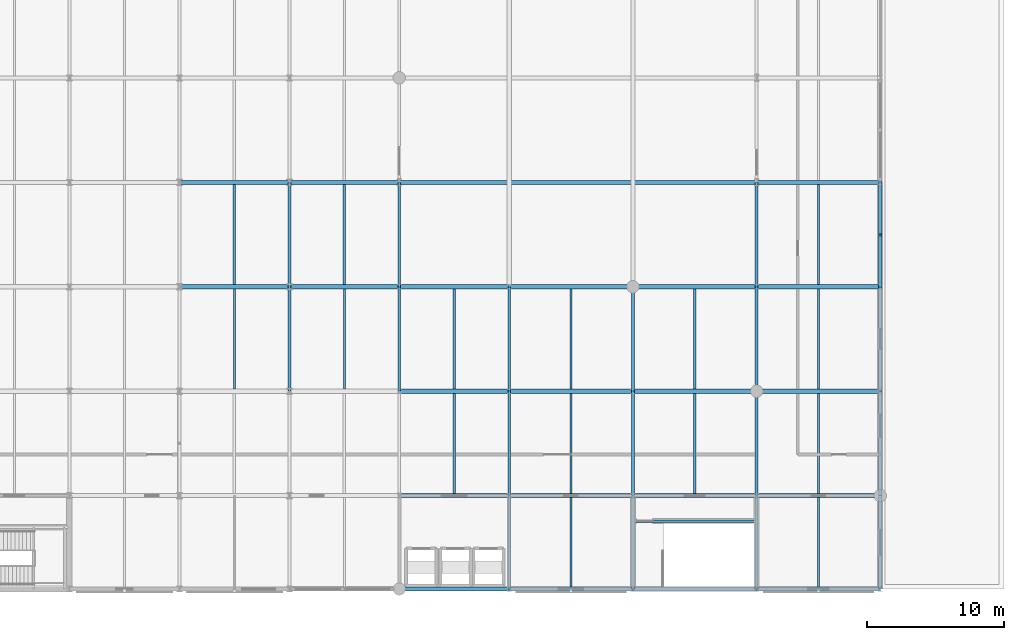
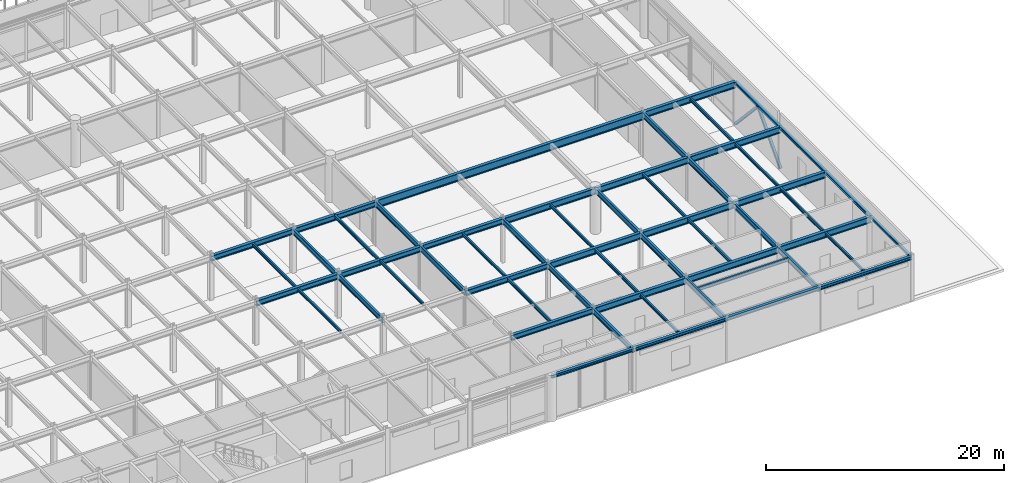
# One storey, part 18 of 43: 56 beams, 2 members.
"""IFC4 building model written with IfcOpenShell, lengths in metres."""

import ifcopenshell
import ifcopenshell.guid

model = None  # the IFC model being written
_history = None  # IfcOwnerHistory: only IFC2X3 demands one
_inside = {}  # id of a spatial element -> (the spatial element, [elements in it])
_under = {}  # id of a project, library or spatial element -> (it, [spatial elements below it])
_declared = {}  # id of a project -> (the project, [libraries it declares])
_typed = {}  # id of a type object -> (the type object, [elements of that type])
_made_of = {}  # id of a material, layer set ... -> (it, [elements and type objects made of it])


def new_model(schema):
    """Start an empty IFC model of exactly this schema.

    Asked for "IFC4X3", IfcOpenShell would pick the latest addendum, in which some entities
    have other attributes; the version numbers below select the first issue.
    IFC2X3 requires an IfcOwnerHistory on every rooted entity: one is made here for all.
    """
    global model, _history
    if schema == "IFC4X3":
        model = ifcopenshell.file(schema_version=(4, 3, 0, 0))
    else:
        model = ifcopenshell.file(schema=schema)
    _inside.clear()
    _under.clear()
    _declared.clear()
    _typed.clear()
    _made_of.clear()
    _history = None
    if model.schema == "IFC2X3":
        org = make("IfcOrganization", Name="unknown")
        user = make(
            "IfcPersonAndOrganization",
            ThePerson=make("IfcPerson", FamilyName="unknown"),
            TheOrganization=org,
        )
        app = make(
            "IfcApplication",
            ApplicationDeveloper=org,
            Version="unknown",
            ApplicationFullName="unknown",
            ApplicationIdentifier="unknown",
        )
        _history = make(
            "IfcOwnerHistory",
            OwningUser=user,
            OwningApplication=app,
            ChangeAction="ADDED",
            CreationDate=0,
        )
    return model


def make(cls, **values):
    """One entity of the class cls with the attributes given. An attribute that is None is left unset."""
    return model.create_entity(
        cls, **{name: value for name, value in values.items() if value is not None}
    )


def rooted(cls, **values):
    """An entity with a GlobalId (a new one), such as an element, a storey or a relation."""
    return make(cls, GlobalId=ifcopenshell.guid.new(), OwnerHistory=_history, **values)


def si_unit(unit_type, name, prefix=None):
    """IfcSIUnit, for example si_unit("LENGTHUNIT", "METRE", prefix="MILLI")."""
    return make("IfcSIUnit", UnitType=unit_type, Prefix=prefix, Name=name)


def assignment(units):
    """IfcUnitAssignment: the units of a project."""
    return None if units is None else make("IfcUnitAssignment", Units=units)


def point(xyz):
    """IfcCartesianPoint."""
    return None if xyz is None else make("IfcCartesianPoint", Coordinates=xyz)


def direction(xyz):
    """IfcDirection."""
    return None if xyz is None else make("IfcDirection", DirectionRatios=xyz)


def frame(location, z_axis=None, x_axis=None):
    """IfcAxis2Placement3D, a coordinate frame: its origin and axes. An axis left out is left unset."""
    return make(
        "IfcAxis2Placement3D",
        Location=point(location),
        Axis=direction(z_axis),
        RefDirection=direction(x_axis),
    )


def frame_2d(location, x_axis=None):
    """IfcAxis2Placement2D, a coordinate frame in the plane: its origin and x axis."""
    return make(
        "IfcAxis2Placement2D", Location=point(location), RefDirection=direction(x_axis)
    )


def origin():
    """The frame at (0, 0, 0) with its axes left unset."""
    return frame((0.0, 0.0, 0.0))


def origin_2d():
    """The frame at (0, 0) in the plane with its x axis left unset."""
    return frame_2d((0.0, 0.0))


def place(relative_to, where):
    """IfcLocalPlacement: puts the frame where relative to a parent placement (None: the world)."""
    return make(
        "IfcLocalPlacement", PlacementRelTo=relative_to, RelativePlacement=where
    )


def context(
    kind, dimensions, precision=None, world=None, true_north=None, identifier=None
):
    """IfcGeometricRepresentationContext, for example the 3D "Model" context."""
    return make(
        "IfcGeometricRepresentationContext",
        ContextIdentifier=identifier,
        ContextType=kind,
        CoordinateSpaceDimension=dimensions,
        Precision=precision,
        WorldCoordinateSystem=world,
        TrueNorth=true_north,
    )


def subcontext(parent, identifier, kind, view, scale=None):
    """IfcGeometricRepresentationSubContext, for example "Body" below "Model"."""
    return make(
        "IfcGeometricRepresentationSubContext",
        ContextIdentifier=identifier,
        ContextType=kind,
        ParentContext=parent,
        TargetScale=scale,
        TargetView=view,
    )


def project(units=None, contexts=None):
    """IfcProject with its units and contexts."""
    return rooted(
        "IfcProject",
        Name="project",
        RepresentationContexts=contexts,
        UnitsInContext=assignment(units),
    )


def spatial(cls, under=None, at=None, **own):
    """A site, building, storey or space (cls), placed at a placement, below another one or the project."""
    s = rooted(cls, ObjectPlacement=at, **own)
    if under is not None:
        _under.setdefault(under.id(), (under, []))[1].append(s)
    return s


def profile(cls, at=None, kind="AREA", **sizes):
    """A parametric profile (cls). Its sizes go by their IFC names, for example OverallWidth=200.0."""
    return make(cls, ProfileType=kind, Position=at, **sizes)


def hollow_rectangle(**sizes):
    """IfcRectangleHollowProfileDef."""
    return profile("IfcRectangleHollowProfileDef", **sizes)


def i_section(**sizes):
    """IfcIShapeProfileDef."""
    return profile("IfcIShapeProfileDef", **sizes)


def extrude(swept, where, along, depth):
    """IfcExtrudedAreaSolid: the profile swept, set in the frame where, extruded along a direction by depth."""
    return make(
        "IfcExtrudedAreaSolid",
        SweptArea=swept,
        Position=where,
        ExtrudedDirection=direction(along),
        Depth=depth,
    )


def shape(context_of_items, identifier, shape_type, items):
    """IfcShapeRepresentation: the items that make up one representation, for example the "Body"."""
    return make(
        "IfcShapeRepresentation",
        ContextOfItems=context_of_items,
        RepresentationIdentifier=identifier,
        RepresentationType=shape_type,
        Items=items,
    )


def material(Name=None, Category=None):
    """IfcMaterial."""
    return make("IfcMaterial", Name=Name, Category=Category)


def material_profile(
    of_material, cross_section, Name=None, Category=None, Priority=None
):
    """IfcMaterialProfile: a cross section and its material."""
    return make(
        "IfcMaterialProfile",
        Name=Name,
        Material=of_material,
        Profile=cross_section,
        Priority=Priority,
        Category=Category,
    )


def profile_set(profiles, Name=None, composite=None):
    """IfcMaterialProfileSet."""
    return make(
        "IfcMaterialProfileSet",
        Name=Name,
        MaterialProfiles=profiles,
        CompositeProfile=composite,
    )


def made_of(thing, what):
    """Note that an element or type object is made of a material, layer set ...; save() writes the relation."""
    if what is not None:
        _made_of.setdefault(what.id(), (what, []))[1].append(thing)
    return thing


def type_object(cls, material=None, **own):
    """A type object (cls), such as IfcWallType, which elements share."""
    return made_of(rooted(cls, **own), material)


def element(
    cls,
    number,
    at=None,
    inside=None,
    cuts=None,
    type_object=None,
    material=None,
    context=None,
    identifier="Body",
    shape_type=None,
    held_by="IfcProductDefinitionShape",
    body=None,
    shapes=None,
    **own,
):
    """One element of the class cls, such as IfcWall. Its Tag is "e" and its number.

    at: its placement. inside: the storey or other place that contains it. cuts: it is an
    opening in that element (IfcRelVoidsElement). A single representation is given by context,
    identifier, shape_type and body (its items); several are given by shapes. held_by: the class
    of the entity that holds the representations. save() writes the other relations.
    """
    e = rooted(cls, Tag="e%d" % number, ObjectPlacement=at, **own)
    if body is not None:
        shapes = [shape(context, identifier, shape_type, body)]
    if shapes is not None:
        e.Representation = make(held_by, Representations=shapes)
    if inside is not None:
        _inside.setdefault(inside.id(), (inside, []))[1].append(e)
    if cuts is not None:
        rooted(
            "IfcRelVoidsElement", RelatingBuildingElement=cuts, RelatedOpeningElement=e
        )
    if type_object is not None:
        _typed.setdefault(type_object.id(), (type_object, []))[1].append(e)
    return made_of(e, material)


def aggregate(whole, parts):
    """IfcRelAggregates: a whole, such as a stair, and the parts it consists of."""
    return rooted("IfcRelAggregates", RelatingObject=whole, RelatedObjects=parts)


def save(model, path):
    """Write the relations noted so far, then the file.

    IfcRelAggregates (storeys below a building ...), IfcRelContainedInSpatialStructure (elements
    in a storey), IfcRelDefinesByType, IfcRelAssociatesMaterial and IfcRelDeclares: one each for
    every whole, place, type object, material and project.
    """
    for whole, parts in _under.values():
        aggregate(whole, parts)
    for where, things in _inside.values():
        rooted(
            "IfcRelContainedInSpatialStructure",
            RelatedElements=things,
            RelatingStructure=where,
        )
    for kind, things in _typed.values():
        rooted("IfcRelDefinesByType", RelatedObjects=things, RelatingType=kind)
    for what, things in _made_of.values():
        rooted("IfcRelAssociatesMaterial", RelatedObjects=things, RelatingMaterial=what)
    for by, libraries in _declared.values():
        rooted("IfcRelDeclares", RelatingContext=by, RelatedDefinitions=libraries)
    model.write(path)


model = new_model("IFC4")

# Units and contexts
model_context = context("Model", 3, precision=1e-05, world=origin(), true_north=direction((0.0, 1.0)))
body_context = subcontext(model_context, "Body", "Model", "MODEL_VIEW")
ifc_project = project(units=[si_unit("LENGTHUNIT", "METRE"), si_unit("AREAUNIT", "SQUARE_METRE"), si_unit("VOLUMEUNIT", "CUBIC_METRE"), si_unit("PLANEANGLEUNIT", "RADIAN"), si_unit("MASSUNIT", "GRAM", prefix="KILO")], contexts=[model_context])

# Site, building, storey
site_placement = place(None, origin())
site = spatial("IfcSite", under=ifc_project, at=site_placement, CompositionType="ELEMENT")
building_placement = place(site_placement, origin())
building = spatial("IfcBuilding", under=site, at=building_placement, Name="Shalkamar Park Central Library", CompositionType="ELEMENT")
storey_placement = place(building_placement, frame((0.0, 0.0, 15.60009765625)))
storey = spatial("IfcBuildingStorey", under=building, at=storey_placement, Name="L04", CompositionType="ELEMENT", Elevation=15.60009765625)

# Beams
ifc_material = material(Name="Steel S355", Category="steel")
ifc_material_profile_1 = material_profile(ifc_material, i_section(OverallWidth=0.14990234375, OverallDepth=0.300048828125, WebThickness=0.007080078125, FlangeThickness=0.0107421875, FilletRadius=0.014892578125, at=origin_2d()), Name="IPE 300")
ifc_profile_set_1 = profile_set([ifc_material_profile_1], Name="Steel S355")
beam_type_1 = type_object("IfcBeamType", Name="Composite Floor Joist IPE300", PredefinedType="JOIST", material=ifc_profile_set_1)
for number, where, z_axis, x_axis, name in (
    (1, (217.0, 262.947998046875, 4.329833984375), (0.0, 1.0, 0.0), (-1.0, 0.0, 0.0), "Composite Joist 13/D-1 (L04)"),
    (2, (225.0, 262.947998046875, 4.39990234375), (0.0, 1.0, 0.0), (-1.0, 0.0, 0.0), "Composite Joist 14/D-1 (L04)"),
    (3, (233.0, 262.947998046875, 4.39990234375), (0.0, 1.0, 0.0), (-1.0, 0.0, 0.0), "Composite Joist 15/D-1 (L04)"),
):
    element("IfcBeam", number, at=place(storey_placement, frame(where, z_axis=z_axis, x_axis=x_axis)), inside=storey, type_object=beam_type_1, Name=name, PredefinedType="JOIST", context=body_context, shape_type="SweptSolid", body=[
        extrude(i_section(OverallWidth=0.14990234375, OverallDepth=0.300048828125, WebThickness=0.007080078125, FlangeThickness=0.0107421875, FilletRadius=0.014892578125, at=origin_2d()), origin(), (0.0, 0.0, 1.0), 7.303955078125),
    ])
beam_1_placement = place(storey_placement, frame((241.5, 248.548095703125, 4.39990234375), z_axis=(0.0, 1.0, 0.0), x_axis=(-1.0, 0.0, 0.0)))
element("IfcBeam", 4, at=beam_1_placement, inside=storey, type_object=beam_type_1, Name="Composite Joist 16/B-1 (L04)", PredefinedType="JOIST", context=body_context, shape_type="SweptSolid", body=[
    extrude(i_section(OverallWidth=0.14990234375, OverallDepth=0.300048828125, WebThickness=0.007080078125, FlangeThickness=0.0107421875, FilletRadius=0.014892578125, at=origin_2d()), origin(), (0.0, 0.0, 1.0), 6.50390625),
])
for number, where, z_axis, x_axis, name in (
    (5, (241.5, 262.947998046875, 4.39990234375), (0.0, 1.0, 0.0), (-1.0, 0.0, 0.0), "Composite Joist 16/D-1 (L04)"),
    (6, (250.5, 262.947998046875, 4.39990234375), (0.0, 1.0, 0.0), (-1.0, 0.0, 0.0), "Composite Joist 17/D-1 (L04)"),
):
    element("IfcBeam", number, at=place(storey_placement, frame(where, z_axis=z_axis, x_axis=x_axis)), inside=storey, type_object=beam_type_1, Name=name, PredefinedType="JOIST", context=body_context, shape_type="SweptSolid", body=[
        extrude(i_section(OverallWidth=0.14990234375, OverallDepth=0.300048828125, WebThickness=0.007080078125, FlangeThickness=0.0107421875, FilletRadius=0.014892578125, at=origin_2d()), origin(), (0.0, 0.0, 1.0), 7.303955078125),
    ])
beam_2_placement = place(storey_placement, frame((259.5, 248.548095703125, 4.39990234375), z_axis=(0.0, 1.0, 0.0), x_axis=(-1.0, 0.0, 0.0)))
element("IfcBeam", 7, at=beam_2_placement, inside=storey, type_object=beam_type_1, Name="Composite Joist 18/B-1 (L04)", PredefinedType="JOIST", context=body_context, shape_type="SweptSolid", body=[
    extrude(i_section(OverallWidth=0.14990234375, OverallDepth=0.300048828125, WebThickness=0.007080078125, FlangeThickness=0.0107421875, FilletRadius=0.014892578125, at=origin_2d()), origin(), (0.0, 0.0, 1.0), 6.50390625),
])
beam_3_placement = place(storey_placement, frame((259.5, 262.947998046875, 4.39990234375), z_axis=(0.0, 1.0, 0.0), x_axis=(-1.0, 0.0, 0.0)))
element("IfcBeam", 8, at=beam_3_placement, inside=storey, type_object=beam_type_1, Name="Composite Joist 18/D-1 (L04)", PredefinedType="JOIST", context=body_context, shape_type="SweptSolid", body=[
    extrude(i_section(OverallWidth=0.14990234375, OverallDepth=0.300048828125, WebThickness=0.007080078125, FlangeThickness=0.0107421875, FilletRadius=0.014892578125, at=origin_2d()), origin(), (0.0, 0.0, 1.0), 7.303955078125),
])
ifc_material_profile_2 = material_profile(ifc_material, i_section(OverallWidth=0.159912109375, OverallDepth=0.330078125, WebThickness=0.007568359375, FlangeThickness=0.011474609375, FilletRadius=0.01806640625, at=origin_2d()), Name="IPE 330")
ifc_profile_set_2 = profile_set([ifc_material_profile_2], Name="Steel S355")
beam_type_2 = type_object("IfcBeamType", Name="Composite Floor Joist IPE330", PredefinedType="JOIST", material=ifc_profile_set_2)
for number, where, z_axis, x_axis, name in (
    (9, (217.0, 270.548095703125, 4.31494140625), (0.0, 1.0, 0.0), (-1.0, 0.0, 0.0), "Composite Joist 13/E-1 (L04)"),
    (10, (225.0, 270.548095703125, 4.40478515625), (0.0, 1.0, 0.0), (-1.0, 0.0, 0.0), "Composite Joist 14/E-1 (L04)"),
):
    element("IfcBeam", number, at=place(storey_placement, frame(where, z_axis=z_axis, x_axis=x_axis)), inside=storey, type_object=beam_type_2, Name=name, PredefinedType="JOIST", context=body_context, shape_type="SweptSolid", body=[
        extrude(i_section(OverallWidth=0.159912109375, OverallDepth=0.330078125, WebThickness=0.007568359375, FlangeThickness=0.011474609375, FilletRadius=0.01806640625, at=origin_2d()), origin(), (0.0, 0.0, 1.0), 7.303955078125),
    ])
for number, where, z_axis, x_axis, name in (
    (11, (233.0, 255.347900390625, 4.385009765625), (0.0, 1.0, 0.0), (-1.0, 0.0, 0.0), "Composite Joist 15/C-1 (L04)"),
    (12, (241.5, 255.347900390625, 4.385009765625), (0.0, 1.0, 0.0), (-1.0, 0.0, 0.0), "Composite Joist 16/C-1 (L04)"),
    (13, (250.5, 255.347900390625, 4.385009765625), (0.0, 1.0, 0.0), (-1.0, 0.0, 0.0), "Composite Joist 17/C-1 (L04)"),
    (14, (259.5, 255.347900390625, 4.385009765625), (0.0, 1.0, 0.0), (-1.0, 0.0, 0.0), "Composite Joist 18/C-1 (L04)"),
):
    element("IfcBeam", number, at=place(storey_placement, frame(where, z_axis=z_axis, x_axis=x_axis)), inside=storey, type_object=beam_type_2, Name=name, PredefinedType="JOIST", context=body_context, shape_type="SweptSolid", body=[
        extrude(i_section(OverallWidth=0.159912109375, OverallDepth=0.330078125, WebThickness=0.007568359375, FlangeThickness=0.011474609375, FilletRadius=0.01806640625, at=origin_2d()), origin(), (0.0, 0.0, 1.0), 7.30419921875),
    ])
beam_4_placement = place(storey_placement, frame((259.5, 270.548095703125, 4.40478515625), z_axis=(0.0, 1.0, 0.0), x_axis=(-1.0, 0.0, 0.0)))
element("IfcBeam", 15, at=beam_4_placement, inside=storey, type_object=beam_type_2, Name="Composite Joist 18/E-1 (L04)", PredefinedType="JOIST", context=body_context, shape_type="SweptSolid", body=[
    extrude(i_section(OverallWidth=0.159912109375, OverallDepth=0.330078125, WebThickness=0.007568359375, FlangeThickness=0.011474609375, FilletRadius=0.01806640625, at=origin_2d()), origin(), (0.0, 0.0, 1.0), 7.303955078125),
])

# Members
ifc_material_profile_3 = material_profile(ifc_material, hollow_rectangle(XDim=0.25, YDim=0.25, WallThickness=0.012451171875, InnerFilletRadius=0.012451171875, OuterFilletRadius=0.018798828125, at=origin_2d()), Name="SHS 250x250x12.5")
ifc_profile_set_3 = profile_set([ifc_material_profile_3], Name="Steel S355")
member_type = type_object("IfcMemberType", Name="Diagonal Brace SHS250", PredefinedType="BRACE", material=ifc_profile_set_3)
for number, where, z_axis, x_axis, name in (
    (16, (264.0, 270.39990234375, 0.14990234375), (0.0, 0.679760654278, 0.733434014002), (-1.0, 0.0, 0.0), "Chevron Brace PD-E Leg A (L04)"),
    (17, (264.0, 278.0, 0.14990234375), (0.0, -0.679760654278, 0.733434014002), (1.0, 0.0, 0.0), "Chevron Brace PD-E Leg B (L04)"),
):
    element("IfcMember", number, at=place(storey_placement, frame(where, z_axis=z_axis, x_axis=x_axis)), inside=storey, type_object=member_type, Name=name, PredefinedType="BRACE", context=body_context, shape_type="SweptSolid", body=[
        extrude(hollow_rectangle(XDim=0.25, YDim=0.25, WallThickness=0.012451171875, InnerFilletRadius=0.012451171875, OuterFilletRadius=0.018798828125, at=origin_2d()), origin(), (0.0, 0.0, 1.0), 5.59033203125),
    ])

# Beams
ifc_material_profile_4 = material_profile(ifc_material, i_section(OverallWidth=0.239990234375, OverallDepth=0.22998046875, WebThickness=0.007568359375, FlangeThickness=0.011962890625, FilletRadius=0.02099609375, at=origin_2d()), Name="HEA 240")
ifc_profile_set_4 = profile_set([ifc_material_profile_4], Name="Steel S355")
beam_type_3 = type_object("IfcBeamType", Name="Perimeter Spandrel Beam HEA240", PredefinedType="SPANDREL", material=ifc_profile_set_4)
beam_5_placement = place(storey_placement, frame((264.0, 248.39990234375, 4.434814453125), z_axis=(0.0, 1.0, 0.0), x_axis=(-1.0, 0.0, 0.0)))
element("IfcBeam", 18, at=beam_5_placement, inside=storey, type_object=beam_type_3, Name="Beam 19:B-C (L04)", PredefinedType="SPANDREL", context=body_context, shape_type="SweptSolid", body=[
    extrude(i_section(OverallWidth=0.239990234375, OverallDepth=0.22998046875, WebThickness=0.007568359375, FlangeThickness=0.011962890625, FilletRadius=0.02099609375, at=origin_2d()), origin(), (0.0, 0.0, 1.0), 6.800048828125),
])
ifc_material_profile_5 = material_profile(ifc_material, i_section(OverallWidth=0.280029296875, OverallDepth=0.27001953125, WebThickness=0.008056640625, FlangeThickness=0.012939453125, FilletRadius=0.02392578125, at=origin_2d()), Name="HEA 280")
ifc_profile_set_5 = profile_set([ifc_material_profile_5], Name="Steel S355")
beam_type_4 = type_object("IfcBeamType", Name="Perimeter Spandrel Beam HEA280", PredefinedType="SPANDREL", material=ifc_profile_set_5)
beam_6_placement = place(storey_placement, frame((264.0, 255.199951171875, 4.414794921875), z_axis=(0.0, 1.0, 0.0), x_axis=(-1.0, 0.0, 0.0)))
element("IfcBeam", 19, at=beam_6_placement, inside=storey, type_object=beam_type_4, Name="Beam 19:C-D (L04)", PredefinedType="SPANDREL", context=body_context, shape_type="SweptSolid", body=[
    extrude(i_section(OverallWidth=0.280029296875, OverallDepth=0.27001953125, WebThickness=0.008056640625, FlangeThickness=0.012939453125, FilletRadius=0.02392578125, at=origin_2d()), origin(), (0.0, 0.0, 1.0), 7.60009765625),
])
beam_7_placement = place(storey_placement, frame((264.0, 262.800048828125, 4.414794921875), z_axis=(0.0, 1.0, 0.0), x_axis=(-1.0, 0.0, 0.0)))
element("IfcBeam", 20, at=beam_7_placement, inside=storey, type_object=beam_type_4, Name="Beam 19:D-E (L04)", PredefinedType="SPANDREL", context=body_context, shape_type="SweptSolid", body=[
    extrude(i_section(OverallWidth=0.280029296875, OverallDepth=0.27001953125, WebThickness=0.008056640625, FlangeThickness=0.012939453125, FilletRadius=0.02392578125, at=origin_2d()), origin(), (0.0, 0.0, 1.0), 7.599853515625),
])
beam_8_placement = place(storey_placement, frame((264.0, 270.39990234375, 4.414794921875), z_axis=(0.0, 1.0, 0.0), x_axis=(-1.0, 0.0, 0.0)))
element("IfcBeam", 21, at=beam_8_placement, inside=storey, type_object=beam_type_4, Name="Beam 19:E-F (L04)", PredefinedType="SPANDREL", context=body_context, shape_type="SweptSolid", body=[
    extrude(i_section(OverallWidth=0.280029296875, OverallDepth=0.27001953125, WebThickness=0.008056640625, FlangeThickness=0.012939453125, FilletRadius=0.02392578125, at=origin_2d()), origin(), (0.0, 0.0, 1.0), 7.60009765625),
])
ifc_material_profile_6 = material_profile(ifc_material, i_section(OverallWidth=0.300048828125, OverallDepth=0.31005859375, WebThickness=0.009033203125, FlangeThickness=0.015380859375, FilletRadius=0.027099609375, at=origin_2d()), Name="HEA 320")
ifc_profile_set_6 = profile_set([ifc_material_profile_6], Name="Steel S355")
beam_type_5 = type_object("IfcBeamType", Name="Perimeter Spandrel Beam HEA320", PredefinedType="SPANDREL", material=ifc_profile_set_6)
beam_9_placement = place(storey_placement, frame((229.0, 248.39990234375, 4.39501953125), z_axis=(1.0, 0.0, 0.0), x_axis=(0.0, 1.0, 0.0)))
element("IfcBeam", 22, at=beam_9_placement, inside=storey, type_object=beam_type_5, Name="Beam B:15-16 (L04)", PredefinedType="SPANDREL", context=body_context, shape_type="SweptSolid", body=[
    extrude(i_section(OverallWidth=0.300048828125, OverallDepth=0.31005859375, WebThickness=0.009033203125, FlangeThickness=0.015380859375, FilletRadius=0.027099609375, at=origin_2d()), origin(), (0.0, 0.0, 1.0), 8.0),
])
ifc_material_profile_7 = material_profile(ifc_material, i_section(OverallWidth=0.300048828125, OverallDepth=0.35009765625, WebThickness=0.010009765625, FlangeThickness=0.017578125, FilletRadius=0.027099609375, at=origin_2d()), Name="HEA 360")
ifc_profile_set_7 = profile_set([ifc_material_profile_7], Name="Steel S355")
beam_type_6 = type_object("IfcBeamType", Name="Perimeter Spandrel Beam HEA360", PredefinedType="SPANDREL", material=ifc_profile_set_7)
for number, where, z_axis, x_axis, name in (
    (23, (237.0, 248.39990234375, 4.375), (1.0, 0.0, 0.0), (0.0, 1.0, 0.0), "Beam B:16-17 (L04)"),
    (24, (246.0, 248.39990234375, 4.375), (1.0, 0.0, 0.0), (0.0, 1.0, 0.0), "Beam B:17-18 (L04)"),
    (25, (255.0, 248.39990234375, 4.375), (1.0, 0.0, 0.0), (0.0, 1.0, 0.0), "Beam B:18-19 (L04)"),
):
    element("IfcBeam", number, at=place(storey_placement, frame(where, z_axis=z_axis, x_axis=x_axis)), inside=storey, type_object=beam_type_6, Name=name, PredefinedType="SPANDREL", context=body_context, shape_type="SweptSolid", body=[
        extrude(i_section(OverallWidth=0.300048828125, OverallDepth=0.35009765625, WebThickness=0.010009765625, FlangeThickness=0.017578125, FilletRadius=0.027099609375, at=origin_2d()), origin(), (0.0, 0.0, 1.0), 9.0),
    ])
ifc_material_profile_8 = material_profile(ifc_material, i_section(OverallWidth=0.300048828125, OverallDepth=0.550048828125, WebThickness=0.014892578125, FlangeThickness=0.029052734375, FilletRadius=0.027099609375, at=origin_2d()), Name="HEB 550")
ifc_profile_set_8 = profile_set([ifc_material_profile_8], Name="Steel S355")
beam_type_7 = type_object("IfcBeamType", Name="Primary Girder HEB550", PredefinedType="BEAM", material=ifc_profile_set_8)
for number, where, z_axis, x_axis, name in (
    (26, (229.0, 255.199951171875, 4.27490234375), (1.0, 0.0, 0.0), (0.0, 1.0, 0.0), "Beam C:15-16 (L04)"),
    (27, (229.0, 262.800048828125, 4.27490234375), (1.0, 0.0, 0.0), (0.0, 1.0, 0.0), "Beam D:15-16 (L04)"),
    (28, (213.0, 270.39990234375, 4.204833984375), (1.0, 0.0, 0.0), (0.0, 1.0, 0.0), "Beam E:13-14 (L04)"),
    (29, (221.0, 270.39990234375, 4.204833984375), (1.0, 0.0, 0.0), (0.0, 1.0, 0.0), "Beam E:14-15 (L04)"),
    (30, (229.0, 270.39990234375, 4.27490234375), (1.0, 0.0, 0.0), (0.0, 1.0, 0.0), "Beam E:15-16 (L04)"),
    (31, (213.0, 278.0, 4.204833984375), (1.0, 0.0, 0.0), (0.0, 1.0, 0.0), "Beam F:13-14 (L04)"),
    (32, (221.0, 278.0, 4.204833984375), (1.0, 0.0, 0.0), (0.0, 1.0, 0.0), "Beam F:14-15 (L04)"),
):
    element("IfcBeam", number, at=place(storey_placement, frame(where, z_axis=z_axis, x_axis=x_axis)), inside=storey, type_object=beam_type_7, Name=name, PredefinedType="BEAM", context=body_context, shape_type="SweptSolid", body=[
        extrude(i_section(OverallWidth=0.300048828125, OverallDepth=0.550048828125, WebThickness=0.014892578125, FlangeThickness=0.029052734375, FilletRadius=0.027099609375, at=origin_2d()), origin(), (0.0, 0.0, 1.0), 8.0),
    ])
ifc_material_profile_9 = material_profile(ifc_material, i_section(OverallWidth=0.300048828125, OverallDepth=0.64990234375, WebThickness=0.01611328125, FlangeThickness=0.031005859375, FilletRadius=0.027099609375, at=origin_2d()), Name="HEB 650")
ifc_profile_set_9 = profile_set([ifc_material_profile_9], Name="Steel S355")
beam_type_8 = type_object("IfcBeamType", Name="Primary Girder HEB650", PredefinedType="BEAM", material=ifc_profile_set_9)
for number, where, z_axis, x_axis, name in (
    (33, (237.0, 255.199951171875, 4.224853515625), (1.0, 0.0, 0.0), (0.0, 1.0, 0.0), "Beam C:16-17 (L04)"),
    (34, (246.0, 255.199951171875, 4.224853515625), (1.0, 0.0, 0.0), (0.0, 1.0, 0.0), "Beam C:17-18 (L04)"),
    (35, (255.0, 255.199951171875, 4.224853515625), (1.0, 0.0, 0.0), (0.0, 1.0, 0.0), "Beam C:18-19 (L04)"),
    (36, (237.0, 262.800048828125, 4.224853515625), (1.0, 0.0, 0.0), (0.0, 1.0, 0.0), "Beam D:16-17 (L04)"),
    (37, (246.0, 262.800048828125, 4.224853515625), (1.0, 0.0, 0.0), (0.0, 1.0, 0.0), "Beam D:17-18 (L04)"),
    (38, (255.0, 262.800048828125, 4.224853515625), (1.0, 0.0, 0.0), (0.0, 1.0, 0.0), "Beam D:18-19 (L04)"),
    (39, (237.0, 270.39990234375, 4.224853515625), (1.0, 0.0, 0.0), (0.0, 1.0, 0.0), "Beam E:16-17 (L04)"),
    (40, (246.0, 270.39990234375, 4.224853515625), (1.0, 0.0, 0.0), (0.0, 1.0, 0.0), "Beam E:17-18 (L04)"),
    (41, (255.0, 270.39990234375, 4.224853515625), (1.0, 0.0, 0.0), (0.0, 1.0, 0.0), "Beam E:18-19 (L04)"),
    (42, (255.0, 278.0, 4.244873046875), (1.0, 0.0, 0.0), (0.0, 1.0, 0.0), "Beam F:18-19 (L04)"),
):
    element("IfcBeam", number, at=place(storey_placement, frame(where, z_axis=z_axis, x_axis=x_axis)), inside=storey, type_object=beam_type_8, Name=name, PredefinedType="BEAM", context=body_context, shape_type="SweptSolid", body=[
        extrude(i_section(OverallWidth=0.300048828125, OverallDepth=0.64990234375, WebThickness=0.01611328125, FlangeThickness=0.031005859375, FilletRadius=0.027099609375, at=origin_2d()), origin(), (0.0, 0.0, 1.0), 9.0),
    ])
ifc_material_profile_10 = material_profile(ifc_material, i_section(OverallWidth=0.300048828125, OverallDepth=0.800048828125, WebThickness=0.017578125, FlangeThickness=0.032958984375, FilletRadius=0.030029296875, at=origin_2d()), Name="HEB 800")
ifc_profile_set_10 = profile_set([ifc_material_profile_10], Name="Steel S355")
beam_type_9 = type_object("IfcBeamType", Name="Primary Girder HEB800", PredefinedType="BEAM", material=ifc_profile_set_10)
beam_10_placement = place(storey_placement, frame((229.0, 278.0, 4.169921875), z_axis=(1.0, 0.0, 0.0), x_axis=(0.0, 1.0, 0.0)))
element("IfcBeam", 43, at=beam_10_placement, inside=storey, type_object=beam_type_9, Name="Beam F:15-18 (L04)", PredefinedType="BEAM", context=body_context, shape_type="SweptSolid", body=[
    extrude(i_section(OverallWidth=0.300048828125, OverallDepth=0.800048828125, WebThickness=0.017578125, FlangeThickness=0.032958984375, FilletRadius=0.030029296875, at=origin_2d()), origin(), (0.0, 0.0, 1.0), 26.0),
])
ifc_material_profile_11 = material_profile(ifc_material, i_section(OverallWidth=0.169921875, OverallDepth=0.360107421875, WebThickness=0.008056640625, FlangeThickness=0.0126953125, FilletRadius=0.01806640625, at=origin_2d()), Name="IPE 360")
ifc_profile_set_11 = profile_set([ifc_material_profile_11], Name="Steel S355")
beam_type_10 = type_object("IfcBeamType", Name="Primary Girder IPE360", PredefinedType="BEAM", material=ifc_profile_set_11)
beam_11_placement = place(storey_placement, frame((246.087890625, 253.35009765625, 4.369873046875), z_axis=(1.0, 0.0, 0.0), x_axis=(0.0, 1.0, 0.0)))
element("IfcBeam", 44, at=beam_11_placement, inside=storey, type_object=beam_type_10, Name="CORE-P3 Stairwell Divider Beam (L04)", PredefinedType="BEAM", context=body_context, shape_type="SweptSolid", body=[
    extrude(i_section(OverallWidth=0.169921875, OverallDepth=0.360107421875, WebThickness=0.008056640625, FlangeThickness=0.0126953125, FilletRadius=0.01806640625, at=origin_2d()), origin(), (0.0, 0.0, 1.0), 8.82421875),
])
ifc_material_profile_12 = material_profile(ifc_material, i_section(OverallWidth=0.2099609375, OverallDepth=0.550048828125, WebThickness=0.010986328125, FlangeThickness=0.01708984375, FilletRadius=0.02392578125, at=origin_2d()), Name="IPE 550")
ifc_profile_set_12 = profile_set([ifc_material_profile_12], Name="Steel S355")
beam_type_11 = type_object("IfcBeamType", Name="Primary Girder IPE550", PredefinedType="BEAM", material=ifc_profile_set_12)
beam_12_placement = place(storey_placement, frame((221.0, 262.800048828125, 4.204833984375), z_axis=(0.0, 1.0, 0.0), x_axis=(-1.0, 0.0, 0.0)))
element("IfcBeam", 45, at=beam_12_placement, inside=storey, type_object=beam_type_11, Name="Beam 14:D-E (L04)", PredefinedType="BEAM", context=body_context, shape_type="SweptSolid", body=[
    extrude(i_section(OverallWidth=0.2099609375, OverallDepth=0.550048828125, WebThickness=0.010986328125, FlangeThickness=0.01708984375, FilletRadius=0.02392578125, at=origin_2d()), origin(), (0.0, 0.0, 1.0), 7.599853515625),
])
beam_13_placement = place(storey_placement, frame((221.0, 270.39990234375, 4.204833984375), z_axis=(0.0, 1.0, 0.0), x_axis=(-1.0, 0.0, 0.0)))
element("IfcBeam", 46, at=beam_13_placement, inside=storey, type_object=beam_type_11, Name="Beam 14:E-F (L04)", PredefinedType="BEAM", context=body_context, shape_type="SweptSolid", body=[
    extrude(i_section(OverallWidth=0.2099609375, OverallDepth=0.550048828125, WebThickness=0.010986328125, FlangeThickness=0.01708984375, FilletRadius=0.02392578125, at=origin_2d()), origin(), (0.0, 0.0, 1.0), 7.60009765625),
])
beam_14_placement = place(storey_placement, frame((229.0, 262.800048828125, 4.27490234375), z_axis=(0.0, 1.0, 0.0), x_axis=(-1.0, 0.0, 0.0)))
element("IfcBeam", 47, at=beam_14_placement, inside=storey, type_object=beam_type_11, Name="Beam 15:D-E (L04)", PredefinedType="BEAM", context=body_context, shape_type="SweptSolid", body=[
    extrude(i_section(OverallWidth=0.2099609375, OverallDepth=0.550048828125, WebThickness=0.010986328125, FlangeThickness=0.01708984375, FilletRadius=0.02392578125, at=origin_2d()), origin(), (0.0, 0.0, 1.0), 7.599853515625),
])
beam_15_placement = place(storey_placement, frame((229.0, 270.39990234375, 4.27490234375), z_axis=(0.0, 1.0, 0.0), x_axis=(-1.0, 0.0, 0.0)))
element("IfcBeam", 48, at=beam_15_placement, inside=storey, type_object=beam_type_11, Name="Beam 15:E-F (L04)", PredefinedType="BEAM", context=body_context, shape_type="SweptSolid", body=[
    extrude(i_section(OverallWidth=0.2099609375, OverallDepth=0.550048828125, WebThickness=0.010986328125, FlangeThickness=0.01708984375, FilletRadius=0.02392578125, at=origin_2d()), origin(), (0.0, 0.0, 1.0), 7.60009765625),
])
beam_16_placement = place(storey_placement, frame((237.0, 248.39990234375, 4.27490234375), z_axis=(0.0, 1.0, 0.0), x_axis=(-1.0, 0.0, 0.0)))
element("IfcBeam", 49, at=beam_16_placement, inside=storey, type_object=beam_type_11, Name="Beam 16:B-C (L04)", PredefinedType="BEAM", context=body_context, shape_type="SweptSolid", body=[
    extrude(i_section(OverallWidth=0.2099609375, OverallDepth=0.550048828125, WebThickness=0.010986328125, FlangeThickness=0.01708984375, FilletRadius=0.02392578125, at=origin_2d()), origin(), (0.0, 0.0, 1.0), 6.800048828125),
])
beam_17_placement = place(storey_placement, frame((237.0, 255.199951171875, 4.27490234375), z_axis=(0.0, 1.0, 0.0), x_axis=(-1.0, 0.0, 0.0)))
element("IfcBeam", 50, at=beam_17_placement, inside=storey, type_object=beam_type_11, Name="Beam 16:C-D (L04)", PredefinedType="BEAM", context=body_context, shape_type="SweptSolid", body=[
    extrude(i_section(OverallWidth=0.2099609375, OverallDepth=0.550048828125, WebThickness=0.010986328125, FlangeThickness=0.01708984375, FilletRadius=0.02392578125, at=origin_2d()), origin(), (0.0, 0.0, 1.0), 7.60009765625),
])
beam_18_placement = place(storey_placement, frame((237.0, 262.800048828125, 4.27490234375), z_axis=(0.0, 1.0, 0.0), x_axis=(-1.0, 0.0, 0.0)))
element("IfcBeam", 51, at=beam_18_placement, inside=storey, type_object=beam_type_11, Name="Beam 16:D-E (L04)", PredefinedType="BEAM", context=body_context, shape_type="SweptSolid", body=[
    extrude(i_section(OverallWidth=0.2099609375, OverallDepth=0.550048828125, WebThickness=0.010986328125, FlangeThickness=0.01708984375, FilletRadius=0.02392578125, at=origin_2d()), origin(), (0.0, 0.0, 1.0), 7.599853515625),
])
beam_19_placement = place(storey_placement, frame((246.0, 248.39990234375, 4.27490234375), z_axis=(0.0, 1.0, 0.0), x_axis=(-1.0, 0.0, 0.0)))
element("IfcBeam", 52, at=beam_19_placement, inside=storey, type_object=beam_type_11, Name="Beam 17:B-C (L04)", PredefinedType="BEAM", context=body_context, shape_type="SweptSolid", body=[
    extrude(i_section(OverallWidth=0.2099609375, OverallDepth=0.550048828125, WebThickness=0.010986328125, FlangeThickness=0.01708984375, FilletRadius=0.02392578125, at=origin_2d()), origin(), (0.0, 0.0, 1.0), 6.800048828125),
])
beam_20_placement = place(storey_placement, frame((246.0, 255.199951171875, 4.27490234375), z_axis=(0.0, 1.0, 0.0), x_axis=(-1.0, 0.0, 0.0)))
element("IfcBeam", 53, at=beam_20_placement, inside=storey, type_object=beam_type_11, Name="Beam 17:C-D (L04)", PredefinedType="BEAM", context=body_context, shape_type="SweptSolid", body=[
    extrude(i_section(OverallWidth=0.2099609375, OverallDepth=0.550048828125, WebThickness=0.010986328125, FlangeThickness=0.01708984375, FilletRadius=0.02392578125, at=origin_2d()), origin(), (0.0, 0.0, 1.0), 7.60009765625),
])
beam_21_placement = place(storey_placement, frame((246.0, 262.800048828125, 4.27490234375), z_axis=(0.0, 1.0, 0.0), x_axis=(-1.0, 0.0, 0.0)))
element("IfcBeam", 54, at=beam_21_placement, inside=storey, type_object=beam_type_11, Name="Beam 17:D-E (L04)", PredefinedType="BEAM", context=body_context, shape_type="SweptSolid", body=[
    extrude(i_section(OverallWidth=0.2099609375, OverallDepth=0.550048828125, WebThickness=0.010986328125, FlangeThickness=0.01708984375, FilletRadius=0.02392578125, at=origin_2d()), origin(), (0.0, 0.0, 1.0), 7.599853515625),
])
beam_22_placement = place(storey_placement, frame((255.0, 248.39990234375, 4.27490234375), z_axis=(0.0, 1.0, 0.0), x_axis=(-1.0, 0.0, 0.0)))
element("IfcBeam", 55, at=beam_22_placement, inside=storey, type_object=beam_type_11, Name="Beam 18:B-C (L04)", PredefinedType="BEAM", context=body_context, shape_type="SweptSolid", body=[
    extrude(i_section(OverallWidth=0.2099609375, OverallDepth=0.550048828125, WebThickness=0.010986328125, FlangeThickness=0.01708984375, FilletRadius=0.02392578125, at=origin_2d()), origin(), (0.0, 0.0, 1.0), 6.800048828125),
])
beam_23_placement = place(storey_placement, frame((255.0, 255.199951171875, 4.27490234375), z_axis=(0.0, 1.0, 0.0), x_axis=(-1.0, 0.0, 0.0)))
element("IfcBeam", 56, at=beam_23_placement, inside=storey, type_object=beam_type_11, Name="Beam 18:C-D (L04)", PredefinedType="BEAM", context=body_context, shape_type="SweptSolid", body=[
    extrude(i_section(OverallWidth=0.2099609375, OverallDepth=0.550048828125, WebThickness=0.010986328125, FlangeThickness=0.01708984375, FilletRadius=0.02392578125, at=origin_2d()), origin(), (0.0, 0.0, 1.0), 7.60009765625),
])
beam_24_placement = place(storey_placement, frame((255.0, 262.800048828125, 4.27490234375), z_axis=(0.0, 1.0, 0.0), x_axis=(-1.0, 0.0, 0.0)))
element("IfcBeam", 57, at=beam_24_placement, inside=storey, type_object=beam_type_11, Name="Beam 18:D-E (L04)", PredefinedType="BEAM", context=body_context, shape_type="SweptSolid", body=[
    extrude(i_section(OverallWidth=0.2099609375, OverallDepth=0.550048828125, WebThickness=0.010986328125, FlangeThickness=0.01708984375, FilletRadius=0.02392578125, at=origin_2d()), origin(), (0.0, 0.0, 1.0), 7.599853515625),
])
beam_25_placement = place(storey_placement, frame((255.0, 270.39990234375, 4.27490234375), z_axis=(0.0, 1.0, 0.0), x_axis=(-1.0, 0.0, 0.0)))
element("IfcBeam", 58, at=beam_25_placement, inside=storey, type_object=beam_type_11, Name="Beam 18:E-F (L04)", PredefinedType="BEAM", context=body_context, shape_type="SweptSolid", body=[
    extrude(i_section(OverallWidth=0.2099609375, OverallDepth=0.550048828125, WebThickness=0.010986328125, FlangeThickness=0.01708984375, FilletRadius=0.02392578125, at=origin_2d()), origin(), (0.0, 0.0, 1.0), 7.60009765625),
])

save(model, "model.ifc")
